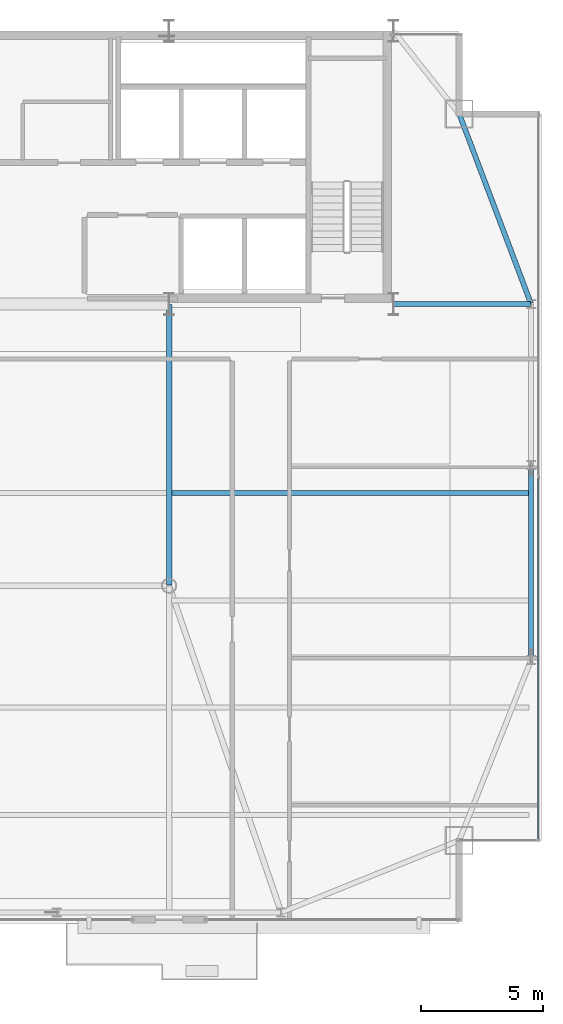
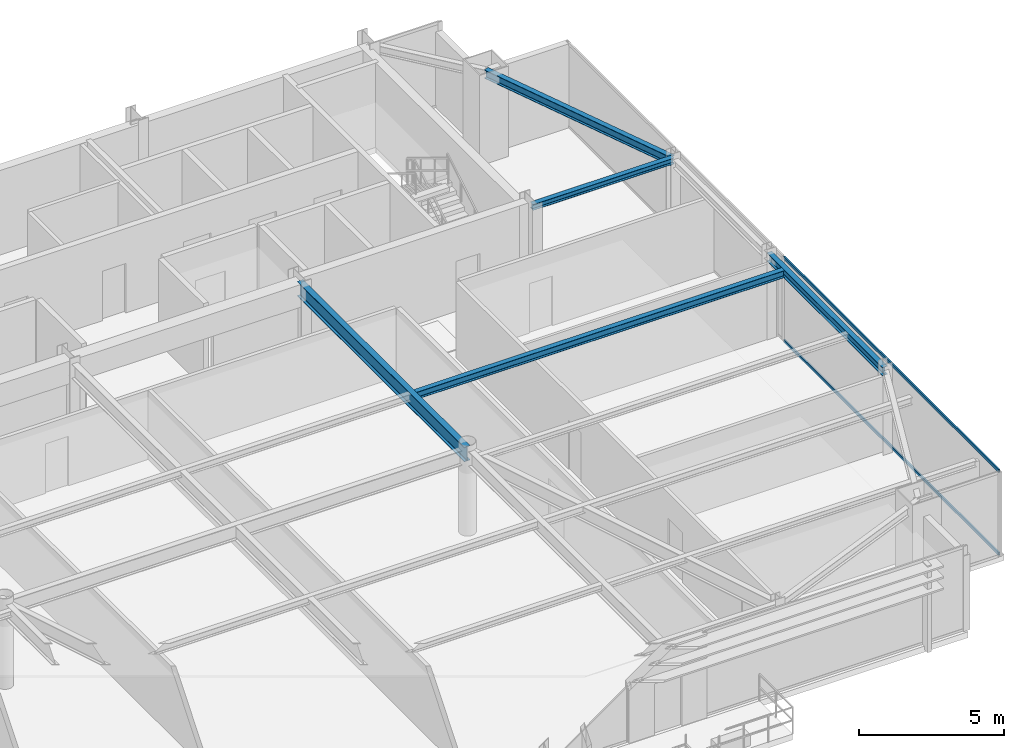
# One storey, part 18 of 30: 5 beams, 2 members, 1 element without a shape of its own.
"""IFC4 building model written with IfcOpenShell, lengths in metres."""

from ifc_helpers import new_model, si_unit, direction, frame, origin, origin_2d, place, context, subcontext, project, spatial, hollow_rectangle, i_section, extrude, source, transform, mapped, material, layer, layer_set, material_profile, profile_set, type_object, type_shapes, element, aggregate, save


model = new_model("IFC4")

# Units and contexts
model_context = context("Model", 3, precision=1e-05, world=origin(), true_north=direction((0.0, 1.0)))
body_context = subcontext(model_context, "Body", "Model", "MODEL_VIEW")
ifc_project = project(units=[si_unit("LENGTHUNIT", "METRE"), si_unit("AREAUNIT", "SQUARE_METRE"), si_unit("VOLUMEUNIT", "CUBIC_METRE"), si_unit("PLANEANGLEUNIT", "RADIAN"), si_unit("MASSUNIT", "GRAM", prefix="KILO")], contexts=[model_context])

# Site, building, storey
site_placement = place(None, origin())
site = spatial("IfcSite", under=ifc_project, at=site_placement, CompositionType="ELEMENT")
building_placement = place(site_placement, origin())
building = spatial("IfcBuilding", under=site, at=building_placement, Name="Varnel Quay Broadcast Tower", CompositionType="ELEMENT")
storey_placement = place(building_placement, frame((0.0, 0.0, 211.199951171875)))
storey = spatial("IfcBuildingStorey", under=building, at=storey_placement, Name="L52", CompositionType="ELEMENT", Elevation=211.199951171875)

# Beams
ifc_material_1 = material(Name="Structural Steel CSA G40.21 350W", Category="steel")
ifc_material_profile_1 = material_profile(ifc_material_1, i_section(OverallWidth=0.205078125, OverallDepth=0.35400390625, WebThickness=0.009521484375, FlangeThickness=0.016845703125, FilletRadius=0.012939453125, at=origin_2d()), Name="W360X79")
ifc_profile_set_1 = profile_set([ifc_material_profile_1], Name="Structural Steel CSA G40.21 350W")
beam_type_1 = type_object("IfcBeamType", Name="Beam_W360X79", PredefinedType="SPANDREL", material=ifc_profile_set_1)
shared_shape_1 = source(origin(), body_context, "Body", "SweptSolid", [
    extrude(i_section(OverallWidth=0.205078125, OverallDepth=0.35400390625, WebThickness=0.009521484375, FlangeThickness=0.016845703125, FilletRadius=0.012939453125, at=origin_2d()), origin(), (0.0, 0.0, 1.0), 7.9599609375),
])
beam_1_placement = place(storey_placement, frame((58.050048828125, 21.02001953125, 3.373046875), z_axis=(0.0, 1.0, 0.0), x_axis=(-1.0, 0.0, 0.0)))
element("IfcBeam", 1, at=beam_1_placement, inside=storey, type_object=beam_type_1, Name="L52 East Spandrel TC-E1-TC-E2", PredefinedType="SPANDREL", context=body_context, shape_type="MappedRepresentation", body=[
    mapped(shared_shape_1, transform((0.0, 0.0, 0.0), x_axis=(1.0, 0.0, 0.0), y_axis=(0.0, 1.0, 0.0), z_axis=(0.0, 0.0, 1.0), scale=1.0)),
])
shared_shape_2 = source(origin(), body_context, "Body", "SweptSolid", [
    extrude(i_section(OverallWidth=0.205078125, OverallDepth=0.35400390625, WebThickness=0.009521484375, FlangeThickness=0.016845703125, FilletRadius=0.012939453125, at=origin_2d()), origin(), (0.0, 0.0, 1.0), 8.29931640625),
])
type_shapes(beam_type_1, [shared_shape_1, shared_shape_2])
beam_2_placement = place(storey_placement, frame((58.04296875, 35.61865234375, 3.373046875), z_axis=(-0.353739782058, 0.935343876117, 0.0), x_axis=(-0.935343876117, -0.353739782058, 0.0)))
element("IfcBeam", 2, at=beam_2_placement, inside=storey, type_object=beam_type_1, Name="L52 East Spandrel TC-E3-MC-NE", PredefinedType="SPANDREL", context=body_context, shape_type="MappedRepresentation", body=[
    mapped(shared_shape_2, transform((0.0, 0.0, 0.0), x_axis=(1.0, 0.0, 0.0), y_axis=(0.0, 1.0, 0.0), z_axis=(0.0, 0.0, 1.0), scale=1.0)),
])
ifc_material_profile_2 = material_profile(ifc_material_1, i_section(OverallWidth=0.22998046875, OverallDepth=0.616943359375, WebThickness=0.01318359375, FlangeThickness=0.022216796875, FilletRadius=0.01611328125, at=origin_2d()), Name="W610X140")
ifc_profile_set_2 = profile_set([ifc_material_profile_2], Name="Structural Steel CSA G40.21 350W")
beam_type_2 = type_object("IfcBeamType", Name="Girder_W610X140", PredefinedType="BEAM", material=ifc_profile_set_2)
shared_shape_3 = source(origin(), body_context, "Body", "SweptSolid", [
    extrude(i_section(OverallWidth=0.22998046875, OverallDepth=0.616943359375, WebThickness=0.01318359375, FlangeThickness=0.022216796875, FilletRadius=0.01611328125, at=origin_2d()), origin(), (0.0, 0.0, 1.0), 11.510009765625),
])
type_shapes(beam_type_2, [shared_shape_3])
beam_3_placement = place(storey_placement, frame((43.199951171875, 24.070068359375, 3.241455078125), z_axis=(0.0, 1.0, 0.0), x_axis=(-1.0, 0.0, 0.0)))
element("IfcBeam", 3, at=beam_3_placement, inside=storey, type_object=beam_type_2, Name="L52 Primary Girder IC-02-CC-S4", PredefinedType="BEAM", context=body_context, shape_type="MappedRepresentation", body=[
    mapped(shared_shape_3, transform((0.0, 0.0, 0.0), x_axis=(1.0, 0.0, 0.0), y_axis=(0.0, 1.0, 0.0), z_axis=(0.0, 0.0, 1.0), scale=1.0)),
])
ifc_material_profile_3 = material_profile(ifc_material_1, i_section(OverallWidth=0.201904296875, OverallDepth=0.2470703125, WebThickness=0.00732421875, FlangeThickness=0.010986328125, FilletRadius=0.010986328125, at=origin_2d()), Name="W250X49")
ifc_profile_set_3 = profile_set([ifc_material_profile_3], Name="Structural Steel CSA G40.21 350W")
beam_type_3 = type_object("IfcBeamType", Name="Beam_W250X49", PredefinedType="JOIST", material=ifc_profile_set_3)
shared_shape_4 = source(origin(), body_context, "Body", "SweptSolid", [
    extrude(i_section(OverallWidth=0.201904296875, OverallDepth=0.2470703125, WebThickness=0.00732421875, FlangeThickness=0.010986328125, FilletRadius=0.010986328125, at=origin_2d()), origin(), (0.0, 0.0, 1.0), 5.610107421875),
])
type_shapes(beam_type_3, [shared_shape_4])
beam_4_placement = place(storey_placement, frame((52.419921875, 35.60009765625, 3.426513671875), z_axis=(1.0, 0.0, 0.0), x_axis=(0.0, 1.0, 0.0)))
element("IfcBeam", 4, at=beam_4_placement, inside=storey, type_object=beam_type_3, Name="L52 East Core Tie Joist", PredefinedType="JOIST", context=body_context, shape_type="MappedRepresentation", body=[
    mapped(shared_shape_4, transform((0.0, 0.0, 0.0), x_axis=(1.0, 0.0, 0.0), y_axis=(0.0, 1.0, 0.0), z_axis=(0.0, 0.0, 1.0), scale=1.0)),
])
ifc_material_profile_4 = material_profile(ifc_material_1, i_section(OverallWidth=0.202880859375, OverallDepth=0.302978515625, WebThickness=0.007568359375, FlangeThickness=0.01318359375, FilletRadius=0.011962890625, at=origin_2d()), Name="W310X60")
ifc_profile_set_4 = profile_set([ifc_material_profile_4], Name="Structural Steel CSA G40.21 350W")
beam_type_4 = type_object("IfcBeamType", Name="Beam_W310X60", PredefinedType="JOIST", material=ifc_profile_set_4)
shared_shape_5 = source(origin(), body_context, "Body", "SweptSolid", [
    extrude(i_section(OverallWidth=0.202880859375, OverallDepth=0.302978515625, WebThickness=0.007568359375, FlangeThickness=0.01318359375, FilletRadius=0.011962890625, at=origin_2d()), origin(), (0.0, 0.0, 1.0), 14.642333984375),
])
type_shapes(beam_type_4, [shared_shape_5])
beam_5_placement = place(storey_placement, frame((43.31005859375, 27.85009765625, 3.3984375), z_axis=(1.0, 0.0, 0.0), x_axis=(0.0, 1.0, 0.0)))
element("IfcBeam", 5, at=beam_5_placement, inside=storey, type_object=beam_type_4, Name="L52 East Floor Joist 4", PredefinedType="JOIST", context=body_context, shape_type="MappedRepresentation", body=[
    mapped(shared_shape_5, transform((0.0, 0.0, 0.0), x_axis=(1.0, 0.0, 0.0), y_axis=(0.0, 1.0, 0.0), z_axis=(0.0, 0.0, 1.0), scale=1.0)),
])

# Curtain wall, members
ifc_material_2 = material(Name="Anodised Bronze Aluminium 6063-T6", Category="aluminium")
ifc_layer = layer(ifc_material_2, 0.18994140625, Name="Anodised Bronze Aluminium 6063-T6")
ifc_layer_set = layer_set([ifc_layer], Name="Anodised Bronze Aluminium 6063-T6")
curtain_wall_type = type_object("IfcCurtainWallType", Name="CW_UpperTower", PredefinedType="NOTDEFINED", material=ifc_layer_set)
curtain_wall_placement = place(storey_placement, origin())
curtain_wall = element("IfcCurtainWall", 6, at=curtain_wall_placement, inside=storey, type_object=curtain_wall_type, Name="L52 East Unitised Curtain Wall", PredefinedType="NOTDEFINED")
ifc_material_profile_5 = material_profile(ifc_material_2, hollow_rectangle(XDim=0.06005859375, YDim=0.125, WallThickness=0.0029296875, at=origin_2d()), Name="ALU60X125X3")
ifc_profile_set_5 = profile_set([ifc_material_profile_5], Name="Anodised Bronze Aluminium 6063-T6")
member_type = type_object("IfcMemberType", Name="Tran_CWS-03", PredefinedType="USERDEFINED", material=ifc_profile_set_5)
shared_shape_6 = source(origin(), body_context, "Body", "SweptSolid", [
    extrude(hollow_rectangle(XDim=0.06005859375, YDim=0.125, WallThickness=0.0029296875, at=origin_2d()), origin(), (0.0, 0.0, 1.0), 14.802490234375),
])
type_shapes(member_type, [shared_shape_6])
member_1_placement = place(storey_placement, frame((58.35009765625, 13.6650390625, 0.030029296875), z_axis=(0.0, 1.0, 0.0), x_axis=(-1.0, 0.0, 0.0)))
member_1 = element("IfcMember", 7, at=member_1_placement, type_object=member_type, Name="CWS-03 transom 1.1", ObjectType="TRANSOM", PredefinedType="USERDEFINED", context=body_context, shape_type="MappedRepresentation", body=[
    mapped(shared_shape_6, transform((0.0, 0.0, 0.0), x_axis=(1.0, 0.0, 0.0), y_axis=(0.0, 1.0, 0.0), z_axis=(0.0, 0.0, 1.0), scale=1.0)),
])
member_2_placement = place(storey_placement, frame((58.35009765625, 13.6650390625, 3.52001953125), z_axis=(0.0, 1.0, 0.0), x_axis=(-1.0, 0.0, 0.0)))
member_2 = element("IfcMember", 8, at=member_2_placement, type_object=member_type, Name="CWS-03 transom 1.2", ObjectType="TRANSOM", PredefinedType="USERDEFINED", context=body_context, shape_type="MappedRepresentation", body=[
    mapped(shared_shape_6, transform((0.0, 0.0, 0.0), x_axis=(1.0, 0.0, 0.0), y_axis=(0.0, 1.0, 0.0), z_axis=(0.0, 0.0, 1.0), scale=1.0)),
])
aggregate(curtain_wall, [member_1, member_2])

save(model, "model.ifc")
